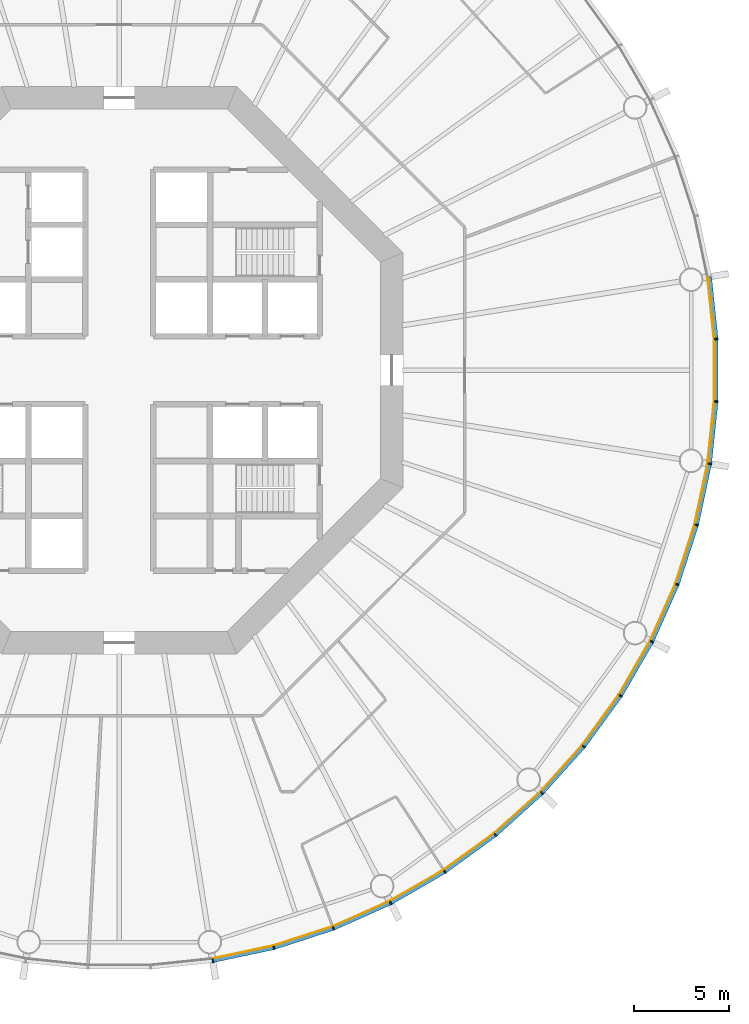
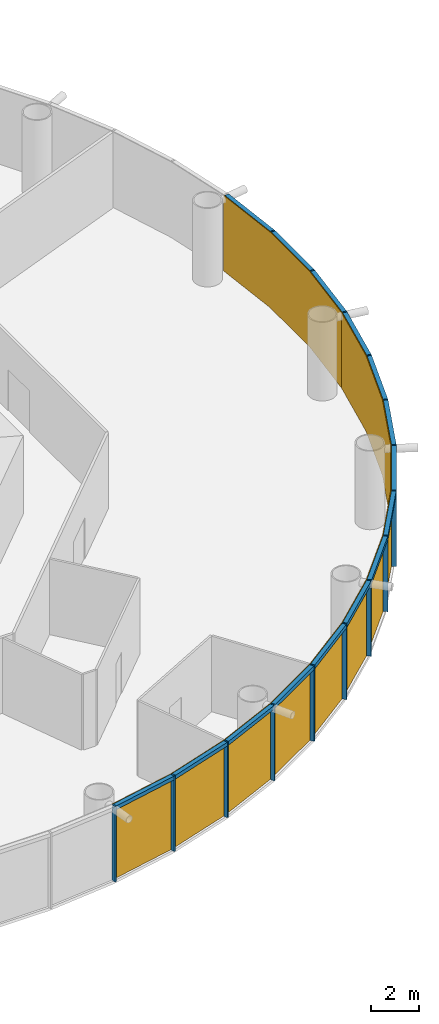
# One storey, part 8 of 12: 30 members, 5 curtain walls.
"""IFC4 building model written with IfcOpenShell, lengths in metres."""

from ifc_helpers import new_model, si_unit, direction, frame, origin, origin_2d, place, context, subcontext, project, spatial, polyline, rectangle, outline, extrude, material, layer, layer_set, material_profile, profile_set, type_object, element, aggregate, save


model = new_model("IFC4")

# Units and contexts
model_context = context("Model", 3, precision=1e-05, world=origin(), true_north=direction((0.0, 1.0)))
body_context = subcontext(model_context, "Body", "Model", "MODEL_VIEW")
ifc_project = project(units=[si_unit("LENGTHUNIT", "METRE"), si_unit("AREAUNIT", "SQUARE_METRE"), si_unit("VOLUMEUNIT", "CUBIC_METRE"), si_unit("PLANEANGLEUNIT", "RADIAN"), si_unit("MASSUNIT", "GRAM", prefix="KILO")], contexts=[model_context])

# Member
ifc_material_1 = material(Name="Anodised aluminium", Category="aluminium")
ifc_material_profile_1 = material_profile(ifc_material_1, rectangle(XDim=0.070068359375, YDim=0.199951171875, at=origin_2d()), Name="Mullion 70 x 200 mm anodised aluminium")
ifc_profile_set_1 = profile_set([ifc_material_profile_1], Name="Anodised aluminium")
member_type_1 = type_object("IfcMemberType", Name="Mullion 70 x 200 mm anodised aluminium", PredefinedType="MULLION", material=ifc_profile_set_1)
site_placement = place(None, origin())
building_placement = place(site_placement, origin())
storey_placement = place(building_placement, frame((0.0, 0.0, 128.0)))
member_1_placement = place(storey_placement, frame((94.943359375, 48.7890625, 0.0), z_axis=(0.0, 0.0, 1.0), x_axis=(0.987688340595, 0.15643446504, 0.0)))
member_1 = element("IfcMember", 1, at=member_1_placement, type_object=member_type_1, Name="MULLION L29-45", PredefinedType="MULLION", context=body_context, shape_type="SweptSolid", body=[
    extrude(rectangle(XDim=0.070068359375, YDim=0.199951171875, at=origin_2d()), origin(), (0.0, 0.0, 1.0), 3.85009765625),
])

member_2_placement = place(storey_placement, frame((98.1787109375, 49.476806640625, 0.0), z_axis=(0.0, 0.0, 1.0), x_axis=(0.965925826289, 0.258819045103, 0.0)))
member_2 = element("IfcMember", 2, at=member_2_placement, type_object=member_type_1, Name="MULLION L29-46", PredefinedType="MULLION", context=body_context, shape_type="SweptSolid", body=[
    extrude(rectangle(XDim=0.070068359375, YDim=0.199951171875, at=origin_2d()), origin(), (0.0, 0.0, 1.0), 3.85009765625),
])

member_3_placement = place(storey_placement, frame((101.324462890625, 50.498779296875, 0.0), z_axis=(0.0, 0.0, 1.0), x_axis=(0.933580426497, 0.358367949545, 0.0)))
member_3 = element("IfcMember", 3, at=member_3_placement, type_object=member_type_1, Name="MULLION L29-47", PredefinedType="MULLION", context=body_context, shape_type="SweptSolid", body=[
    extrude(rectangle(XDim=0.070068359375, YDim=0.199951171875, at=origin_2d()), origin(), (0.0, 0.0, 1.0), 3.85009765625),
])

member_4_placement = place(storey_placement, frame((104.34619140625, 51.84423828125, 0.0), z_axis=(0.0, 0.0, 1.0), x_axis=(0.891006524188, 0.45399049974, 0.0)))
member_4 = element("IfcMember", 4, at=member_4_placement, type_object=member_type_1, Name="MULLION L29-48", PredefinedType="MULLION", context=body_context, shape_type="SweptSolid", body=[
    extrude(rectangle(XDim=0.070068359375, YDim=0.199951171875, at=origin_2d()), origin(), (0.0, 0.0, 1.0), 3.85009765625),
])

member_5_placement = place(storey_placement, frame((107.210693359375, 53.498046875, 0.0), z_axis=(0.0, 0.0, 1.0), x_axis=(0.838670567945, 0.544639035015, 0.0)))
member_5 = element("IfcMember", 5, at=member_5_placement, type_object=member_type_1, Name="MULLION L29-49", PredefinedType="MULLION", context=body_context, shape_type="SweptSolid", body=[
    extrude(rectangle(XDim=0.070068359375, YDim=0.199951171875, at=origin_2d()), origin(), (0.0, 0.0, 1.0), 3.85009765625),
])

member_6_placement = place(storey_placement, frame((109.886474609375, 55.442138671875, 0.0), z_axis=(0.0, 0.0, 1.0), x_axis=(0.777145961457, 0.62932039105, 0.0)))
member_6 = element("IfcMember", 6, at=member_6_placement, type_object=member_type_1, Name="MULLION L29-50", PredefinedType="MULLION", context=body_context, shape_type="SweptSolid", body=[
    extrude(rectangle(XDim=0.070068359375, YDim=0.199951171875, at=origin_2d()), origin(), (0.0, 0.0, 1.0), 3.85009765625),
])

member_7_placement = place(storey_placement, frame((112.344482421875, 57.655517578125, 0.0), z_axis=(0.0, 0.0, 1.0), x_axis=(0.707106781187, 0.707106781187, 0.0)))
member_7 = element("IfcMember", 7, at=member_7_placement, type_object=member_type_1, Name="MULLION L29-51", PredefinedType="MULLION", context=body_context, shape_type="SweptSolid", body=[
    extrude(rectangle(XDim=0.070068359375, YDim=0.199951171875, at=origin_2d()), origin(), (0.0, 0.0, 1.0), 3.85009765625),
])

member_8_placement = place(storey_placement, frame((114.557861328125, 60.113525390625, 0.0), z_axis=(0.0, 0.0, 1.0), x_axis=(0.62932039105, 0.777145961457, 0.0)))
member_8 = element("IfcMember", 8, at=member_8_placement, type_object=member_type_1, Name="MULLION L29-52", PredefinedType="MULLION", context=body_context, shape_type="SweptSolid", body=[
    extrude(rectangle(XDim=0.070068359375, YDim=0.199951171875, at=origin_2d()), origin(), (0.0, 0.0, 1.0), 3.85009765625),
])

member_9_placement = place(storey_placement, frame((116.501953125, 62.789306640625, 0.0), z_axis=(0.0, 0.0, 1.0), x_axis=(0.544639035015, 0.838670567945, 0.0)))
member_9 = element("IfcMember", 9, at=member_9_placement, type_object=member_type_1, Name="MULLION L29-53", PredefinedType="MULLION", context=body_context, shape_type="SweptSolid", body=[
    extrude(rectangle(XDim=0.070068359375, YDim=0.199951171875, at=origin_2d()), origin(), (0.0, 0.0, 1.0), 3.85009765625),
])

member_10_placement = place(storey_placement, frame((118.15576171875, 65.65380859375, 0.0), z_axis=(0.0, 0.0, 1.0), x_axis=(0.45399049974, 0.891006524188, 0.0)))
member_10 = element("IfcMember", 10, at=member_10_placement, type_object=member_type_1, Name="MULLION L29-54", PredefinedType="MULLION", context=body_context, shape_type="SweptSolid", body=[
    extrude(rectangle(XDim=0.070068359375, YDim=0.199951171875, at=origin_2d()), origin(), (0.0, 0.0, 1.0), 3.85009765625),
])

member_11_placement = place(storey_placement, frame((119.501220703125, 68.675537109375, 0.0), z_axis=(0.0, 0.0, 1.0), x_axis=(0.358367949545, 0.933580426497, 0.0)))
member_11 = element("IfcMember", 11, at=member_11_placement, type_object=member_type_1, Name="MULLION L29-55", PredefinedType="MULLION", context=body_context, shape_type="SweptSolid", body=[
    extrude(rectangle(XDim=0.070068359375, YDim=0.199951171875, at=origin_2d()), origin(), (0.0, 0.0, 1.0), 3.85009765625),
])

member_12_placement = place(storey_placement, frame((120.523193359375, 71.8212890625, 0.0), z_axis=(0.0, 0.0, 1.0), x_axis=(0.258819045103, 0.965925826289, 0.0)))
member_12 = element("IfcMember", 12, at=member_12_placement, type_object=member_type_1, Name="MULLION L29-56", PredefinedType="MULLION", context=body_context, shape_type="SweptSolid", body=[
    extrude(rectangle(XDim=0.070068359375, YDim=0.199951171875, at=origin_2d()), origin(), (0.0, 0.0, 1.0), 3.85009765625),
])

member_13_placement = place(storey_placement, frame((121.2109375, 75.056640625, 0.0), z_axis=(0.0, 0.0, 1.0), x_axis=(0.15643446504, 0.987688340595, 0.0)))
member_13 = element("IfcMember", 13, at=member_13_placement, type_object=member_type_1, Name="MULLION L29-57", PredefinedType="MULLION", context=body_context, shape_type="SweptSolid", body=[
    extrude(rectangle(XDim=0.070068359375, YDim=0.199951171875, at=origin_2d()), origin(), (0.0, 0.0, 1.0), 3.85009765625),
])

member_14_placement = place(storey_placement, frame((121.556640625, 78.34619140625, 0.0), z_axis=(0.0, 0.0, 1.0), x_axis=(0.052335956243, 0.998629534755, 0.0)))
member_14 = element("IfcMember", 14, at=member_14_placement, type_object=member_type_1, Name="MULLION L29-58", PredefinedType="MULLION", context=body_context, shape_type="SweptSolid", body=[
    extrude(rectangle(XDim=0.070068359375, YDim=0.199951171875, at=origin_2d()), origin(), (0.0, 0.0, 1.0), 3.85009765625),
])

member_15_placement = place(storey_placement, frame((121.556640625, 81.65380859375, 0.0), z_axis=(0.0, 0.0, 1.0), x_axis=(-0.052335956243, 0.998629534755, 0.0)))
member_15 = element("IfcMember", 15, at=member_15_placement, type_object=member_type_1, Name="MULLION L29-59", PredefinedType="MULLION", context=body_context, shape_type="SweptSolid", body=[
    extrude(rectangle(XDim=0.070068359375, YDim=0.199951171875, at=origin_2d()), origin(), (0.0, 0.0, 1.0), 3.85009765625),
])

ifc_material_2 = material(Name="Anodised aluminium", Category="aluminium")
ifc_material_profile_2 = material_profile(ifc_material_2, rectangle(XDim=0.199951171875, YDim=0.18994140625, at=origin_2d()), Name="Transom 190 x 200 mm anodised aluminium")
ifc_profile_set_2 = profile_set([ifc_material_profile_2], Name="Anodised aluminium")
member_type_2 = type_object("IfcMemberType", Name="Transom 190 x 200 mm anodised aluminium", PredefinedType="USERDEFINED", material=ifc_profile_set_2)
member_16_placement = place(storey_placement, frame((94.982666015625, 48.79736328125, 3.7548828125), z_axis=(0.978153082647, 0.207885898771, 0.0), x_axis=(-0.207885898771, 0.978153082647, 0.0)))
member_16 = element("IfcMember", 16, at=member_16_placement, type_object=member_type_2, Name="TRANSOM L29-45", ObjectType="TRANSOM", PredefinedType="USERDEFINED", context=body_context, shape_type="SweptSolid", body=[
    extrude(rectangle(XDim=0.199951171875, YDim=0.18994140625, at=origin_2d()), origin(), (0.0, 0.0, 1.0), 3.227294921875),
])

member_17_placement = place(storey_placement, frame((98.217041015625, 49.489013671875, 3.7548828125), z_axis=(0.951046855117, 0.309046726844, 0.0), x_axis=(-0.309046726844, 0.951046855117, 0.0)))
member_17 = element("IfcMember", 17, at=member_17_placement, type_object=member_type_2, Name="TRANSOM L29-46", ObjectType="TRANSOM", PredefinedType="USERDEFINED", context=body_context, shape_type="SweptSolid", body=[
    extrude(rectangle(XDim=0.199951171875, YDim=0.18994140625, at=origin_2d()), origin(), (0.0, 0.0, 1.0), 3.22705078125),
])

member_18_placement = place(storey_placement, frame((101.361328125, 50.51513671875, 3.7548828125), z_axis=(0.913549291349, 0.406728032322, 0.0), x_axis=(-0.406728032322, 0.913549291349, 0.0)))
member_18 = element("IfcMember", 18, at=member_18_placement, type_object=member_type_2, Name="TRANSOM L29-47", ObjectType="TRANSOM", PredefinedType="USERDEFINED", context=body_context, shape_type="SweptSolid", body=[
    extrude(rectangle(XDim=0.199951171875, YDim=0.18994140625, at=origin_2d()), origin(), (0.0, 0.0, 1.0), 3.22705078125),
])

member_19_placement = place(storey_placement, frame((104.381103515625, 51.8642578125, 3.7548828125), z_axis=(0.866023062494, 0.500004055213, 0.0), x_axis=(-0.500004055213, 0.866023062494, 0.0)))
member_19 = element("IfcMember", 19, at=member_19_placement, type_object=member_type_2, Name="TRANSOM L29-48", ObjectType="TRANSOM", PredefinedType="USERDEFINED", context=body_context, shape_type="SweptSolid", body=[
    extrude(rectangle(XDim=0.199951171875, YDim=0.18994140625, at=origin_2d()), origin(), (0.0, 0.0, 1.0), 3.22705078125),
])

member_20_placement = place(storey_placement, frame((107.2431640625, 53.521484375, 3.7548828125), z_axis=(0.809004252048, 0.587802790201, 0.0), x_axis=(-0.587802790201, 0.809004252048, 0.0)))
member_20 = element("IfcMember", 20, at=member_20_placement, type_object=member_type_2, Name="TRANSOM L29-49", ObjectType="TRANSOM", PredefinedType="USERDEFINED", context=body_context, shape_type="SweptSolid", body=[
    extrude(rectangle(XDim=0.199951171875, YDim=0.18994140625, at=origin_2d()), origin(), (0.0, 0.0, 1.0), 3.227294921875),
])

member_21_placement = place(storey_placement, frame((109.91650390625, 55.468994140625, 3.7548828125), z_axis=(0.743132370743, 0.669144438484, 0.0), x_axis=(-0.669144438484, 0.743132370743, 0.0)))
member_21 = element("IfcMember", 21, at=member_21_placement, type_object=member_type_2, Name="TRANSOM L29-50", ObjectType="TRANSOM", PredefinedType="USERDEFINED", context=body_context, shape_type="SweptSolid", body=[
    extrude(rectangle(XDim=0.199951171875, YDim=0.18994140625, at=origin_2d()), origin(), (0.0, 0.0, 1.0), 3.22705078125),
])

member_22_placement = place(storey_placement, frame((112.37158203125, 57.685302734375, 3.7548828125), z_axis=(0.669144438484, 0.743132370743, 0.0), x_axis=(-0.743132370743, 0.669144438484, 0.0)))
member_22 = element("IfcMember", 22, at=member_22_placement, type_object=member_type_2, Name="TRANSOM L29-51", ObjectType="TRANSOM", PredefinedType="USERDEFINED", context=body_context, shape_type="SweptSolid", body=[
    extrude(rectangle(XDim=0.199951171875, YDim=0.18994140625, at=origin_2d()), origin(), (0.0, 0.0, 1.0), 3.22705078125),
])

member_23_placement = place(storey_placement, frame((114.58154296875, 60.14599609375, 3.7548828125), z_axis=(0.587802790201, 0.809004252048, 0.0), x_axis=(-0.809004252048, 0.587802790201, 0.0)))
member_23 = element("IfcMember", 23, at=member_23_placement, type_object=member_type_2, Name="TRANSOM L29-52", ObjectType="TRANSOM", PredefinedType="USERDEFINED", context=body_context, shape_type="SweptSolid", body=[
    extrude(rectangle(XDim=0.199951171875, YDim=0.18994140625, at=origin_2d()), origin(), (0.0, 0.0, 1.0), 3.227294921875),
])

member_24_placement = place(storey_placement, frame((116.522216796875, 62.82421875, 3.7548828125), z_axis=(0.500004055213, 0.866023062494, 0.0), x_axis=(-0.866023062494, 0.500004055213, 0.0)))
member_24 = element("IfcMember", 24, at=member_24_placement, type_object=member_type_2, Name="TRANSOM L29-53", ObjectType="TRANSOM", PredefinedType="USERDEFINED", context=body_context, shape_type="SweptSolid", body=[
    extrude(rectangle(XDim=0.199951171875, YDim=0.18994140625, at=origin_2d()), origin(), (0.0, 0.0, 1.0), 3.22705078125),
])

member_25_placement = place(storey_placement, frame((118.17236328125, 65.690673828125, 3.7548828125), z_axis=(0.406728032322, 0.913549291349, 0.0), x_axis=(-0.913549291349, 0.406728032322, 0.0)))
member_25 = element("IfcMember", 25, at=member_25_placement, type_object=member_type_2, Name="TRANSOM L29-54", ObjectType="TRANSOM", PredefinedType="USERDEFINED", context=body_context, shape_type="SweptSolid", body=[
    extrude(rectangle(XDim=0.199951171875, YDim=0.18994140625, at=origin_2d()), origin(), (0.0, 0.0, 1.0), 3.22705078125),
])

member_26_placement = place(storey_placement, frame((119.513671875, 68.7138671875, 3.7548828125), z_axis=(0.309046726844, 0.951046855117, 0.0), x_axis=(-0.951046855117, 0.309046726844, 0.0)))
member_26 = element("IfcMember", 26, at=member_26_placement, type_object=member_type_2, Name="TRANSOM L29-55", ObjectType="TRANSOM", PredefinedType="USERDEFINED", context=body_context, shape_type="SweptSolid", body=[
    extrude(rectangle(XDim=0.199951171875, YDim=0.18994140625, at=origin_2d()), origin(), (0.0, 0.0, 1.0), 3.22705078125),
])

member_27_placement = place(storey_placement, frame((120.53173828125, 71.860595703125, 3.7548828125), z_axis=(0.207885898771, 0.978153082647, 0.0), x_axis=(-0.978153082647, 0.207885898771, 0.0)))
member_27 = element("IfcMember", 27, at=member_27_placement, type_object=member_type_2, Name="TRANSOM L29-56", ObjectType="TRANSOM", PredefinedType="USERDEFINED", context=body_context, shape_type="SweptSolid", body=[
    extrude(rectangle(XDim=0.199951171875, YDim=0.18994140625, at=origin_2d()), origin(), (0.0, 0.0, 1.0), 3.227294921875),
])

member_28_placement = place(storey_placement, frame((121.21533203125, 75.0966796875, 3.7548828125), z_axis=(0.104550890115, 0.994519537956, 0.0), x_axis=(-0.994519537956, 0.104550890115, 0.0)))
member_28 = element("IfcMember", 28, at=member_28_placement, type_object=member_type_2, Name="TRANSOM L29-57", ObjectType="TRANSOM", PredefinedType="USERDEFINED", context=body_context, shape_type="SweptSolid", body=[
    extrude(rectangle(XDim=0.199951171875, YDim=0.18994140625, at=origin_2d()), origin(), (0.0, 0.0, 1.0), 3.22705078125),
])

member_29_placement = place(storey_placement, frame((121.556884765625, 78.386474609375, 3.7548828125), z_axis=(0.0, 1.0, 0.0), x_axis=(-1.0, 0.0, 0.0)))
member_29 = element("IfcMember", 29, at=member_29_placement, type_object=member_type_2, Name="TRANSOM L29-58", ObjectType="TRANSOM", PredefinedType="USERDEFINED", context=body_context, shape_type="SweptSolid", body=[
    extrude(rectangle(XDim=0.199951171875, YDim=0.18994140625, at=origin_2d()), origin(), (0.0, 0.0, 1.0), 3.22705078125),
])

member_30_placement = place(storey_placement, frame((121.552734375, 81.69384765625, 3.7548828125), z_axis=(-0.104550890115, 0.994519537956, 0.0), x_axis=(-0.994519537956, -0.104550890115, 0.0)))
member_30 = element("IfcMember", 30, at=member_30_placement, type_object=member_type_2, Name="TRANSOM L29-59", ObjectType="TRANSOM", PredefinedType="USERDEFINED", context=body_context, shape_type="SweptSolid", body=[
    extrude(rectangle(XDim=0.199951171875, YDim=0.18994140625, at=origin_2d()), origin(), (0.0, 0.0, 1.0), 3.22705078125),
])

# Site, building, storey
site = spatial("IfcSite", under=ifc_project, at=site_placement, CompositionType="ELEMENT")
building = spatial("IfcBuilding", under=site, at=building_placement, Name="Entoto Ring Tower", CompositionType="ELEMENT")
storey = spatial("IfcBuildingStorey", under=building, at=storey_placement, Name="L29", CompositionType="ELEMENT", Elevation=128.0)

# Curtain wall
ifc_material_3 = material(Name="Clear low-iron glass", Category="glass")
ifc_layer = layer(ifc_material_3, 0.035888671875)
ifc_layer_set = layer_set([ifc_layer], Name="Clear low-iron glass")
curtain_wall_type = type_object("IfcCurtainWallType", Name="Curtain wall system CW2 glazing 36 mm", PredefinedType="NOTDEFINED", material=ifc_layer_set)
curtain_wall_1_placement = place(storey_placement, origin())
curtain_wall_1 = element("IfcCurtainWall", 31, at=curtain_wall_1_placement, inside=storey, type_object=curtain_wall_type, Name="CW2 L29-16", PredefinedType="NOTDEFINED", context=body_context, shape_type="SweptSolid", body=[
    extrude(outline(polyline([(94.927734375, 48.8876953125), (98.15283203125, 49.5732421875), (101.28857421875, 50.59228515625), (104.30078125, 51.933349609375), (104.284423828125, 51.96533203125), (101.275634765625, 50.6259765625), (98.1435546875, 49.608154296875), (94.922119140625, 48.92333984375), (94.927734375, 48.8876953125)])), origin(), (0.0, 0.0, 1.0), 3.85009765625),
])

aggregate(curtain_wall_1, [member_1, member_2, member_3, member_16, member_17, member_18])

curtain_wall_2_placement = place(storey_placement, origin())
curtain_wall_2 = element("IfcCurtainWall", 32, at=curtain_wall_2_placement, inside=storey, type_object=curtain_wall_type, Name="CW2 L29-17", PredefinedType="NOTDEFINED", context=body_context, shape_type="SweptSolid", body=[
    extrude(outline(polyline([(104.30078125, 51.933349609375), (107.15625, 53.581787109375), (109.823486328125, 55.52001953125), (112.27392578125, 57.72607421875), (112.248291015625, 57.751708984375), (109.801025390625, 55.5478515625), (107.136474609375, 53.612060546875), (104.284423828125, 51.96533203125), (104.30078125, 51.933349609375)])), origin(), (0.0, 0.0, 1.0), 3.85009765625),
])

aggregate(curtain_wall_2, [member_4, member_5, member_6, member_19, member_20, member_21])

curtain_wall_3_placement = place(storey_placement, origin())
curtain_wall_3 = element("IfcCurtainWall", 33, at=curtain_wall_3_placement, inside=storey, type_object=curtain_wall_type, Name="CW2 L29-18", PredefinedType="NOTDEFINED", context=body_context, shape_type="SweptSolid", body=[
    extrude(outline(polyline([(112.27392578125, 57.72607421875), (114.47998046875, 60.176513671875), (116.418212890625, 62.84375), (118.066650390625, 65.69921875), (118.03466796875, 65.715576171875), (116.387939453125, 62.863525390625), (114.4521484375, 60.198974609375), (112.248291015625, 57.751708984375), (112.27392578125, 57.72607421875)])), origin(), (0.0, 0.0, 1.0), 3.85009765625),
])

aggregate(curtain_wall_3, [member_7, member_8, member_9, member_22, member_23, member_24])

curtain_wall_4_placement = place(storey_placement, origin())
curtain_wall_4 = element("IfcCurtainWall", 34, at=curtain_wall_4_placement, inside=storey, type_object=curtain_wall_type, Name="CW2 L29-19", PredefinedType="NOTDEFINED", context=body_context, shape_type="SweptSolid", body=[
    extrude(outline(polyline([(118.066650390625, 65.69921875), (119.40771484375, 68.71142578125), (120.4267578125, 71.84716796875), (121.1123046875, 75.072265625), (121.07666015625, 75.077880859375), (120.391845703125, 71.8564453125), (119.3740234375, 68.724365234375), (118.03466796875, 65.715576171875), (118.066650390625, 65.69921875)])), origin(), (0.0, 0.0, 1.0), 3.85009765625),
])

aggregate(curtain_wall_4, [member_10, member_11, member_12, member_25, member_26, member_27])

curtain_wall_5_placement = place(storey_placement, origin())
curtain_wall_5 = element("IfcCurtainWall", 35, at=curtain_wall_5_placement, inside=storey, type_object=curtain_wall_type, Name="CW2 L29-20", PredefinedType="NOTDEFINED", context=body_context, shape_type="SweptSolid", body=[
    extrude(outline(polyline([(121.1123046875, 75.072265625), (121.456787109375, 78.351318359375), (121.456787109375, 81.648681640625), (121.1123046875, 84.927734375), (121.07666015625, 84.922119140625), (121.4208984375, 81.646728515625), (121.4208984375, 78.353271484375), (121.07666015625, 75.077880859375), (121.1123046875, 75.072265625)])), origin(), (0.0, 0.0, 1.0), 3.85009765625),
])

aggregate(curtain_wall_5, [member_13, member_14, member_15, member_28, member_29, member_30])

save(model, "model.ifc")
